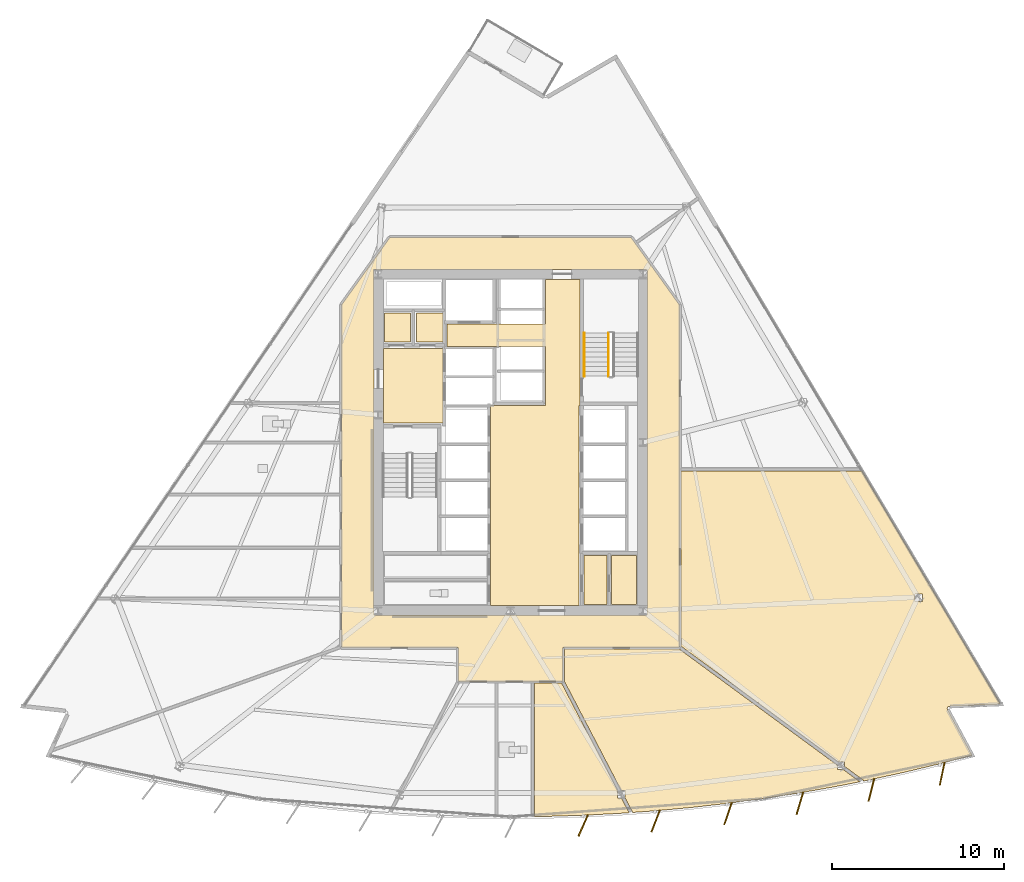
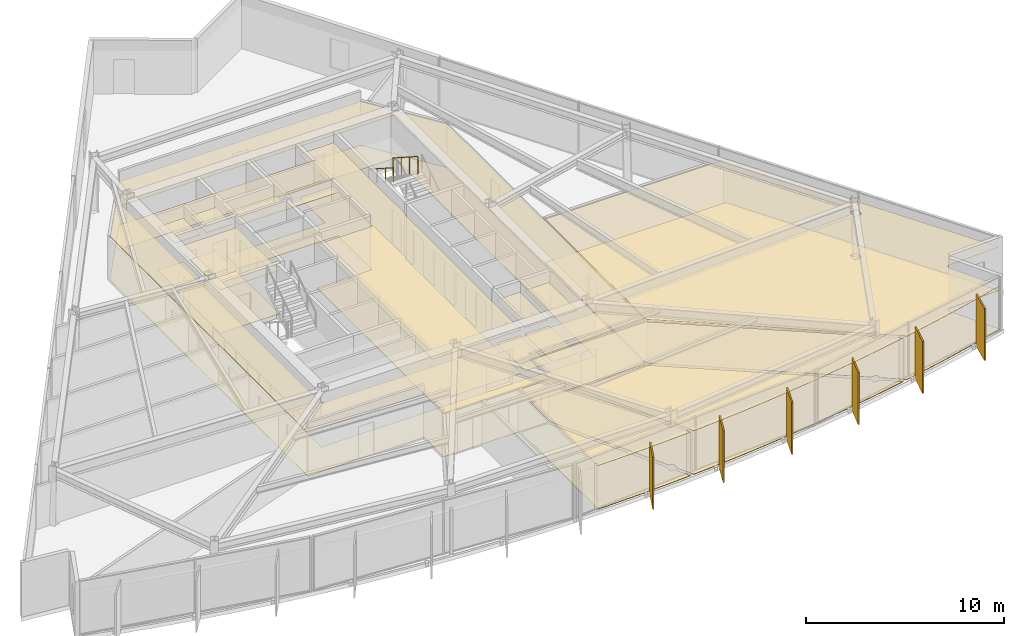
# One storey, part 12 of 15: 20 coverings, 6 shading devices, 2 railings.
"""IFC4 building model written with IfcOpenShell, lengths in metres."""

from ifc_helpers import new_model, si_unit, direction, frame, origin, origin_2d, place, context, subcontext, project, spatial, polyline, rectangle, circle, outline, extrude, material, layer, layer_set, type_object, element, save


model = new_model("IFC4")

# Units and contexts
model_context = context("Model", 3, precision=1e-05, world=origin(), true_north=direction((0.0, 1.0)))
body_context = subcontext(model_context, "Body", "Model", "MODEL_VIEW")
ifc_project = project(units=[si_unit("LENGTHUNIT", "METRE"), si_unit("AREAUNIT", "SQUARE_METRE"), si_unit("VOLUMEUNIT", "CUBIC_METRE"), si_unit("PLANEANGLEUNIT", "RADIAN"), si_unit("MASSUNIT", "GRAM", prefix="KILO")], contexts=[model_context])

# Site, building, storey
site_placement = place(None, origin())
site = spatial("IfcSite", under=ifc_project, at=site_placement, CompositionType="ELEMENT")
building_placement = place(site_placement, origin())
building = spatial("IfcBuilding", under=site, at=building_placement, Name="Savorim Split Tower", CompositionType="ELEMENT")
storey_placement = place(building_placement, frame((0.0, 0.0, 82.5)))
storey = spatial("IfcBuildingStorey", under=building, at=storey_placement, Name="L21", CompositionType="ELEMENT", Elevation=82.5)

# Coverings
ifc_material_1 = material(Name="Mineral Fibre Acoustic Ceiling")
ifc_layer_1 = layer(ifc_material_1, 0.02490234375)
ifc_layer_set_1 = layer_set([ifc_layer_1], Name="COV-CEIL-25")
covering_type_1 = type_object("IfcCoveringType", Name="COV-CEIL-25", PredefinedType="CEILING", material=ifc_layer_set_1)
covering_1_placement = place(storey_placement, frame((0.0, 0.0, 2.669921875)))
element("IfcCovering", 1, at=covering_1_placement, inside=storey, type_object=covering_type_1, Name="L21 Firefighting Lift Lobby Acoustic Ceiling", PredefinedType="CEILING", context=body_context, shape_type="SweptSolid", body=[
    extrude(outline(polyline([(-7.3798828125, 5.8701171875), (-7.3798828125, 1.530029296875), (-3.929931640625, 1.530029296875), (-3.929931640625, 5.8701171875), (-7.3798828125, 5.8701171875)])), origin(), (0.0, 0.0, 1.0), 0.025146484375),
])
covering_2_placement = place(storey_placement, frame((0.0, 0.0, 2.669921875)))
element("IfcCovering", 2, at=covering_2_placement, inside=storey, type_object=covering_type_1, Name="L21 Electrical Riser Acoustic Ceiling", PredefinedType="CEILING", context=body_context, shape_type="SweptSolid", body=[
    extrude(outline(polyline([(-7.320068359375, 7.919921875), (-7.320068359375, 6.22998046875), (-5.830078125, 6.22998046875), (-5.830078125, 7.919921875), (-7.320068359375, 7.919921875)])), origin(), (0.0, 0.0, 1.0), 0.025146484375),
])
covering_3_placement = place(storey_placement, frame((0.0, 0.0, 2.669921875)))
element("IfcCovering", 3, at=covering_3_placement, inside=storey, type_object=covering_type_1, Name="L21 Telecom Riser Acoustic Ceiling", PredefinedType="CEILING", context=body_context, shape_type="SweptSolid", body=[
    extrude(outline(polyline([(-5.469970703125, 7.919921875), (-5.469970703125, 6.22998046875), (-3.929931640625, 6.22998046875), (-3.929931640625, 7.919921875), (-5.469970703125, 7.919921875)])), origin(), (0.0, 0.0, 1.0), 0.025146484375),
])
covering_4_placement = place(storey_placement, frame((0.0, 0.0, 2.669921875)))
element("IfcCovering", 4, at=covering_4_placement, inside=storey, type_object=covering_type_1, Name="L21 Lift Lobby Acoustic Ceiling", PredefinedType="CEILING", context=body_context, shape_type="SweptSolid", body=[
    extrude(outline(polyline([(2.050048828125, 2.550048828125), (-1.14990234375, 2.550048828125), (-1.14990234375, -9.10009765625), (4.0, -9.10009765625), (4.0, 2.550048828125), (4.050048828125, 2.550048828125), (4.050048828125, 5.97998046875), (4.050048828125, 7.300048828125), (4.050048828125, 9.8798828125), (2.050048828125, 9.8798828125), (2.050048828125, 7.300048828125), (-3.699951171875, 7.300048828125), (-3.699951171875, 5.97998046875), (2.050048828125, 5.97998046875), (2.050048828125, 2.550048828125)])), origin(), (0.0, 0.0, 1.0), 0.025146484375),
])
covering_5_placement = place(storey_placement, frame((0.0, 0.0, 2.669921875)))
element("IfcCovering", 5, at=covering_5_placement, inside=storey, type_object=covering_type_1, Name="L21 Vending Pantry Acoustic Ceiling", PredefinedType="CEILING", context=body_context, shape_type="SweptSolid", body=[
    extrude(outline(polyline([(4.280029296875, -6.179931640625), (4.280029296875, -9.02001953125), (5.6201171875, -9.02001953125), (5.6201171875, -6.179931640625), (4.280029296875, -6.179931640625)])), origin(), (0.0, 0.0, 1.0), 0.025146484375),
])
covering_6_placement = place(storey_placement, frame((0.0, 0.0, 2.669921875)))
element("IfcCovering", 6, at=covering_6_placement, inside=storey, type_object=covering_type_1, Name="L21 Recycling Chute Room Acoustic Ceiling", PredefinedType="CEILING", context=body_context, shape_type="SweptSolid", body=[
    extrude(outline(polyline([(5.8798828125, -6.179931640625), (5.8798828125, -9.02001953125), (7.320068359375, -9.02001953125), (7.320068359375, -6.179931640625), (5.8798828125, -6.179931640625)])), origin(), (0.0, 0.0, 1.0), 0.025146484375),
])
covering_7_placement = place(storey_placement, frame((0.0, 0.0, 2.669921875)))
element("IfcCovering", 7, at=covering_7_placement, inside=storey, type_object=covering_type_1, Name="L21 Corridor Acoustic Ceiling", PredefinedType="CEILING", context=body_context, shape_type="SweptSolid", body=[
    extrude(outline(polyline([(7.009521484375, 12.3291015625), (7.004638671875, 12.329833984375), (7.0, 12.330078125), (-7.0, 12.330078125), (-7.004638671875, 12.329833984375), (-7.009521484375, 12.3291015625), (-7.013916015625, 12.327880859375), (-7.0185546875, 12.326416015625), (-7.022705078125, 12.324462890625), (-7.027099609375, 12.322021484375), (-7.03076171875, 12.3193359375), (-7.034423828125, 12.31640625), (-7.03759765625, 12.312744140625), (-7.04052734375, 12.30908203125), (-9.820556640625, 8.42919921875), (-9.823486328125, 8.4248046875), (-9.82568359375, 8.420166015625), (-9.82763671875, 8.415283203125), (-9.828857421875, 8.410400390625), (-9.82958984375, 8.4052734375), (-9.830078125, 8.39990234375), (-9.830078125, -11.47998046875), (-9.829833984375, -11.48486328125), (-9.8291015625, -11.48974609375), (-9.827880859375, -11.494384765625), (-9.826171875, -11.4990234375), (-9.82421875, -11.503662109375), (-9.821533203125, -11.5078125), (-9.818603515625, -11.51171875), (-9.8154296875, -11.515380859375), (-9.811767578125, -11.518798828125), (-9.807861328125, -11.521484375), (-9.8037109375, -11.524169921875), (-9.799072265625, -11.526123046875), (-9.79443359375, -11.52783203125), (-9.789794921875, -11.529052734375), (-9.784912109375, -11.52978515625), (-9.780029296875, -11.530029296875), (-3.050048828125, -11.530029296875), (-3.050048828125, -13.449951171875), (-3.0498046875, -13.454833984375), (-3.049072265625, -13.459716796875), (-3.0478515625, -13.464599609375), (-3.046142578125, -13.468994140625), (-3.044189453125, -13.4736328125), (-3.04150390625, -13.477783203125), (-3.038818359375, -13.481689453125), (-3.035400390625, -13.4853515625), (-3.03173828125, -13.48876953125), (-3.02783203125, -13.49169921875), (-3.023681640625, -13.494140625), (-3.01904296875, -13.49609375), (-3.014404296875, -13.497802734375), (-3.009765625, -13.4990234375), (-3.0048828125, -13.499755859375), (-3.0, -13.5), (3.0, -13.5), (3.0048828125, -13.499755859375), (3.009765625, -13.4990234375), (3.014404296875, -13.497802734375), (3.01904296875, -13.49609375), (3.023681640625, -13.494140625), (3.02783203125, -13.49169921875), (3.03173828125, -13.48876953125), (3.035400390625, -13.4853515625), (3.038818359375, -13.481689453125), (3.04150390625, -13.477783203125), (3.044189453125, -13.4736328125), (3.046142578125, -13.468994140625), (3.0478515625, -13.464599609375), (3.049072265625, -13.459716796875), (3.0498046875, -13.454833984375), (3.050048828125, -13.449951171875), (3.050048828125, -11.530029296875), (9.780029296875, -11.530029296875), (9.784912109375, -11.52978515625), (9.789794921875, -11.529052734375), (9.79443359375, -11.52783203125), (9.799072265625, -11.526123046875), (9.8037109375, -11.524169921875), (9.807861328125, -11.521484375), (9.811767578125, -11.518798828125), (9.8154296875, -11.515380859375), (9.818603515625, -11.51171875), (9.821533203125, -11.5078125), (9.82421875, -11.503662109375), (9.826171875, -11.4990234375), (9.827880859375, -11.494384765625), (9.8291015625, -11.48974609375), (9.829833984375, -11.48486328125), (9.830078125, -11.47998046875), (9.830078125, 8.39990234375), (9.82958984375, 8.4052734375), (9.828857421875, 8.410400390625), (9.82763671875, 8.415283203125), (9.82568359375, 8.420166015625), (9.823486328125, 8.4248046875), (9.820556640625, 8.42919921875), (7.04052734375, 12.30908203125), (7.03759765625, 12.312744140625), (7.034423828125, 12.31640625), (7.03076171875, 12.3193359375), (7.027099609375, 12.322021484375), (7.022705078125, 12.324462890625), (7.0185546875, 12.326416015625), (7.013916015625, 12.327880859375), (7.009521484375, 12.3291015625)]), holes=[polyline([(-7.949951171875, 10.449951171875), (-7.949951171875, -9.64990234375), (7.949951171875, -9.64990234375), (7.949951171875, 10.449951171875), (-7.949951171875, 10.449951171875)])]), origin(), (0.0, 0.0, 1.0), 0.025146484375),
])
covering_8_placement = place(storey_placement, frame((0.0, 0.0, 2.669921875)))
element("IfcCovering", 8, at=covering_8_placement, inside=storey, type_object=covering_type_1, Name="L21 Co-Living Bedroom Acoustic Ceiling", PredefinedType="CEILING", context=body_context, shape_type="SweptSolid", body=[
    extrude(outline(polyline([(1.394775390625, -21.366455078125), (2.101806640625, -21.359375), (4.202880859375, -21.294921875), (6.302001953125, -21.187255859375), (6.902587890625, -21.144287109375), (6.45458984375, -20.2841796875), (6.231201171875, -20.2841796875), (6.231201171875, -19.85546875), (2.981689453125, -13.6171875), (2.967529296875, -13.590087890625), (1.394775390625, -13.590087890625), (1.394775390625, -21.366455078125)])), origin(), (0.0, 0.0, 1.0), 0.025146484375),
])
covering_9_placement = place(storey_placement, frame((0.0, 0.0, 2.669921875)))
element("IfcCovering", 9, at=covering_9_placement, inside=storey, type_object=covering_type_1, Name="L21 Co-Working Commons Acoustic Ceiling", PredefinedType="CEILING", context=body_context, shape_type="SweptSolid", body=[
    extrude(outline(polyline([(12.58056640625, -20.607421875), (14.6640625, -20.32861328125), (16.7412109375, -20.00732421875), (18.8115234375, -19.6435546875), (20.330078125, -19.344482421875), (19.374755859375, -18.642578125), (19.017822265625, -18.642578125), (19.017822265625, -18.380126953125), (9.83984375, -11.634033203125), (9.814453125, -11.615478515625), (9.807373046875, -11.6171875), (9.793701171875, -11.619384765625), (9.780029296875, -11.6201171875), (3.139892578125, -11.6201171875), (3.139892578125, -13.449951171875), (3.139404296875, -13.463623046875), (3.13720703125, -13.477294921875), (3.134033203125, -13.490478515625), (3.13232421875, -13.4951171875), (6.43701171875, -19.839111328125), (6.660400390625, -19.839111328125), (6.660400390625, -20.267822265625), (7.06494140625, -21.044677734375), (7.10888671875, -21.12890625), (7.107666015625, -21.12939453125), (8.398681640625, -21.036865234375), (10.49169921875, -20.843505859375), (12.58056640625, -20.607421875)])), origin(), (0.0, 0.0, 1.0), 0.025146484375),
])
covering_10_placement = place(storey_placement, frame((0.0, 0.0, 2.669921875)))
element("IfcCovering", 10, at=covering_10_placement, inside=storey, type_object=covering_type_1, Name="L21 Maker Workshop Acoustic Ceiling", PredefinedType="CEILING", context=body_context, shape_type="SweptSolid", body=[
    extrude(outline(polyline([(25.5009765625, -14.956298828125), (25.51220703125, -14.9541015625), (25.523681640625, -14.952880859375), (28.506591796875, -14.826171875), (20.438720703125, -1.258056640625), (9.919921875, -1.258056640625), (9.919921875, -11.457275390625), (19.090087890625, -18.197509765625), (19.447021484375, -18.197509765625), (19.447021484375, -18.459716796875), (20.4580078125, -19.202880859375), (20.53466796875, -19.25927734375), (20.495849609375, -19.31201171875), (20.873779296875, -19.237548828125), (22.927490234375, -18.789306640625), (24.9716796875, -18.29931640625), (26.85888671875, -17.8056640625), (25.423095703125, -15.129638671875), (25.418212890625, -15.119140625), (25.414306640625, -15.1083984375), (25.411376953125, -15.09716796875), (25.409423828125, -15.085693359375), (25.40869140625, -15.07421875), (25.4091796875, -15.062744140625), (25.410888671875, -15.05126953125), (25.413330078125, -15.0400390625), (25.4169921875, -15.029052734375), (25.421875, -15.0185546875), (25.427490234375, -15.008544921875), (25.43408203125, -14.9990234375), (25.441650390625, -14.990478515625), (25.449951171875, -14.982421875), (25.458984375, -14.97509765625), (25.46875, -14.968994140625), (25.47900390625, -14.963623046875), (25.48974609375, -14.95947265625), (25.5009765625, -14.956298828125)]), holes=[polyline([(23.97021484375, -8.860595703125), (23.97021484375, -8.415771484375), (23.541259765625, -8.415771484375), (23.541259765625, -8.860595703125), (23.97021484375, -8.860595703125)])]), origin(), (0.0, 0.0, 1.0), 0.025146484375),
])
ifc_material_2 = material(Name="Porcelain Stoneware Flooring", Category="masonry")
ifc_layer_2 = layer(ifc_material_2, 0.02001953125)
ifc_layer_set_2 = layer_set([ifc_layer_2], Name="COV-FLOR-20")
covering_type_2 = type_object("IfcCoveringType", Name="COV-FLOR-20", PredefinedType="FLOORING", material=ifc_layer_set_2)
covering_11_placement = place(storey_placement, origin())
element("IfcCovering", 11, at=covering_11_placement, inside=storey, type_object=covering_type_2, Name="L21 Firefighting Lift Lobby Porcelain Flooring", PredefinedType="FLOORING", context=body_context, shape_type="SweptSolid", body=[
    extrude(outline(polyline([(-7.3798828125, 5.8701171875), (-7.3798828125, 1.530029296875), (-3.929931640625, 1.530029296875), (-3.929931640625, 5.8701171875), (-7.3798828125, 5.8701171875)])), origin(), (0.0, 0.0, 1.0), 0.02001953125),
])
covering_12_placement = place(storey_placement, origin())
element("IfcCovering", 12, at=covering_12_placement, inside=storey, type_object=covering_type_2, Name="L21 Electrical Riser Porcelain Flooring", PredefinedType="FLOORING", context=body_context, shape_type="SweptSolid", body=[
    extrude(outline(polyline([(-7.320068359375, 7.919921875), (-7.320068359375, 6.22998046875), (-5.830078125, 6.22998046875), (-5.830078125, 7.919921875), (-7.320068359375, 7.919921875)])), origin(), (0.0, 0.0, 1.0), 0.02001953125),
])
covering_13_placement = place(storey_placement, origin())
element("IfcCovering", 13, at=covering_13_placement, inside=storey, type_object=covering_type_2, Name="L21 Telecom Riser Porcelain Flooring", PredefinedType="FLOORING", context=body_context, shape_type="SweptSolid", body=[
    extrude(outline(polyline([(-5.469970703125, 7.919921875), (-5.469970703125, 6.22998046875), (-3.929931640625, 6.22998046875), (-3.929931640625, 7.919921875), (-5.469970703125, 7.919921875)])), origin(), (0.0, 0.0, 1.0), 0.02001953125),
])
covering_14_placement = place(storey_placement, origin())
element("IfcCovering", 14, at=covering_14_placement, inside=storey, type_object=covering_type_2, Name="L21 Lift Lobby Porcelain Flooring", PredefinedType="FLOORING", context=body_context, shape_type="SweptSolid", body=[
    extrude(outline(polyline([(2.050048828125, 2.550048828125), (-1.14990234375, 2.550048828125), (-1.14990234375, -9.10009765625), (4.0, -9.10009765625), (4.0, 2.550048828125), (4.050048828125, 2.550048828125), (4.050048828125, 5.97998046875), (4.050048828125, 7.300048828125), (4.050048828125, 9.8798828125), (2.050048828125, 9.8798828125), (2.050048828125, 7.300048828125), (-3.699951171875, 7.300048828125), (-3.699951171875, 5.97998046875), (2.050048828125, 5.97998046875), (2.050048828125, 2.550048828125)])), origin(), (0.0, 0.0, 1.0), 0.02001953125),
])
covering_15_placement = place(storey_placement, origin())
element("IfcCovering", 15, at=covering_15_placement, inside=storey, type_object=covering_type_2, Name="L21 Vending Pantry Porcelain Flooring", PredefinedType="FLOORING", context=body_context, shape_type="SweptSolid", body=[
    extrude(outline(polyline([(4.280029296875, -6.179931640625), (4.280029296875, -9.02001953125), (5.6201171875, -9.02001953125), (5.6201171875, -6.179931640625), (4.280029296875, -6.179931640625)])), origin(), (0.0, 0.0, 1.0), 0.02001953125),
])
covering_16_placement = place(storey_placement, origin())
element("IfcCovering", 16, at=covering_16_placement, inside=storey, type_object=covering_type_2, Name="L21 Recycling Chute Room Porcelain Flooring", PredefinedType="FLOORING", context=body_context, shape_type="SweptSolid", body=[
    extrude(outline(polyline([(5.8798828125, -6.179931640625), (5.8798828125, -9.02001953125), (7.320068359375, -9.02001953125), (7.320068359375, -6.179931640625), (5.8798828125, -6.179931640625)])), origin(), (0.0, 0.0, 1.0), 0.02001953125),
])
covering_17_placement = place(storey_placement, origin())
element("IfcCovering", 17, at=covering_17_placement, inside=storey, type_object=covering_type_2, Name="L21 Corridor Porcelain Flooring", PredefinedType="FLOORING", context=body_context, shape_type="SweptSolid", body=[
    extrude(outline(polyline([(7.009521484375, 12.3291015625), (7.004638671875, 12.329833984375), (7.0, 12.330078125), (-7.0, 12.330078125), (-7.004638671875, 12.329833984375), (-7.009521484375, 12.3291015625), (-7.013916015625, 12.327880859375), (-7.0185546875, 12.326416015625), (-7.022705078125, 12.324462890625), (-7.027099609375, 12.322021484375), (-7.03076171875, 12.3193359375), (-7.034423828125, 12.31640625), (-7.03759765625, 12.312744140625), (-7.04052734375, 12.30908203125), (-9.820556640625, 8.42919921875), (-9.823486328125, 8.4248046875), (-9.82568359375, 8.420166015625), (-9.82763671875, 8.415283203125), (-9.828857421875, 8.410400390625), (-9.82958984375, 8.4052734375), (-9.830078125, 8.39990234375), (-9.830078125, -11.47998046875), (-9.829833984375, -11.48486328125), (-9.8291015625, -11.48974609375), (-9.827880859375, -11.494384765625), (-9.826171875, -11.4990234375), (-9.82421875, -11.503662109375), (-9.821533203125, -11.5078125), (-9.818603515625, -11.51171875), (-9.8154296875, -11.515380859375), (-9.811767578125, -11.518798828125), (-9.807861328125, -11.521484375), (-9.8037109375, -11.524169921875), (-9.799072265625, -11.526123046875), (-9.79443359375, -11.52783203125), (-9.789794921875, -11.529052734375), (-9.784912109375, -11.52978515625), (-9.780029296875, -11.530029296875), (-3.050048828125, -11.530029296875), (-3.050048828125, -13.449951171875), (-3.0498046875, -13.454833984375), (-3.049072265625, -13.459716796875), (-3.0478515625, -13.464599609375), (-3.046142578125, -13.468994140625), (-3.044189453125, -13.4736328125), (-3.04150390625, -13.477783203125), (-3.038818359375, -13.481689453125), (-3.035400390625, -13.4853515625), (-3.03173828125, -13.48876953125), (-3.02783203125, -13.49169921875), (-3.023681640625, -13.494140625), (-3.01904296875, -13.49609375), (-3.014404296875, -13.497802734375), (-3.009765625, -13.4990234375), (-3.0048828125, -13.499755859375), (-3.0, -13.5), (3.0, -13.5), (3.0048828125, -13.499755859375), (3.009765625, -13.4990234375), (3.014404296875, -13.497802734375), (3.01904296875, -13.49609375), (3.023681640625, -13.494140625), (3.02783203125, -13.49169921875), (3.03173828125, -13.48876953125), (3.035400390625, -13.4853515625), (3.038818359375, -13.481689453125), (3.04150390625, -13.477783203125), (3.044189453125, -13.4736328125), (3.046142578125, -13.468994140625), (3.0478515625, -13.464599609375), (3.049072265625, -13.459716796875), (3.0498046875, -13.454833984375), (3.050048828125, -13.449951171875), (3.050048828125, -11.530029296875), (9.780029296875, -11.530029296875), (9.784912109375, -11.52978515625), (9.789794921875, -11.529052734375), (9.79443359375, -11.52783203125), (9.799072265625, -11.526123046875), (9.8037109375, -11.524169921875), (9.807861328125, -11.521484375), (9.811767578125, -11.518798828125), (9.8154296875, -11.515380859375), (9.818603515625, -11.51171875), (9.821533203125, -11.5078125), (9.82421875, -11.503662109375), (9.826171875, -11.4990234375), (9.827880859375, -11.494384765625), (9.8291015625, -11.48974609375), (9.829833984375, -11.48486328125), (9.830078125, -11.47998046875), (9.830078125, 8.39990234375), (9.82958984375, 8.4052734375), (9.828857421875, 8.410400390625), (9.82763671875, 8.415283203125), (9.82568359375, 8.420166015625), (9.823486328125, 8.4248046875), (9.820556640625, 8.42919921875), (7.04052734375, 12.30908203125), (7.03759765625, 12.312744140625), (7.034423828125, 12.31640625), (7.03076171875, 12.3193359375), (7.027099609375, 12.322021484375), (7.022705078125, 12.324462890625), (7.0185546875, 12.326416015625), (7.013916015625, 12.327880859375), (7.009521484375, 12.3291015625)]), holes=[polyline([(-7.949951171875, 10.449951171875), (-7.949951171875, -9.64990234375), (7.949951171875, -9.64990234375), (7.949951171875, 10.449951171875), (-7.949951171875, 10.449951171875)])]), origin(), (0.0, 0.0, 1.0), 0.02001953125),
])
covering_18_placement = place(storey_placement, origin())
element("IfcCovering", 18, at=covering_18_placement, inside=storey, type_object=covering_type_2, Name="L21 Co-Living Bedroom Porcelain Flooring", PredefinedType="FLOORING", context=body_context, shape_type="SweptSolid", body=[
    extrude(outline(polyline([(1.394775390625, -21.366455078125), (2.101806640625, -21.359375), (4.202880859375, -21.294921875), (6.302001953125, -21.187255859375), (6.902587890625, -21.144287109375), (6.45458984375, -20.2841796875), (6.231201171875, -20.2841796875), (6.231201171875, -19.85546875), (2.981689453125, -13.6171875), (2.967529296875, -13.590087890625), (1.394775390625, -13.590087890625), (1.394775390625, -21.366455078125)])), origin(), (0.0, 0.0, 1.0), 0.02001953125),
])
covering_19_placement = place(storey_placement, origin())
element("IfcCovering", 19, at=covering_19_placement, inside=storey, type_object=covering_type_2, Name="L21 Co-Working Commons Porcelain Flooring", PredefinedType="FLOORING", context=body_context, shape_type="SweptSolid", body=[
    extrude(outline(polyline([(12.58056640625, -20.607421875), (14.6640625, -20.32861328125), (16.7412109375, -20.00732421875), (18.8115234375, -19.6435546875), (20.330078125, -19.344482421875), (19.374755859375, -18.642578125), (19.017822265625, -18.642578125), (19.017822265625, -18.380126953125), (9.83984375, -11.634033203125), (9.814453125, -11.615478515625), (9.807373046875, -11.6171875), (9.793701171875, -11.619384765625), (9.780029296875, -11.6201171875), (3.139892578125, -11.6201171875), (3.139892578125, -13.449951171875), (3.139404296875, -13.463623046875), (3.13720703125, -13.477294921875), (3.134033203125, -13.490478515625), (3.13232421875, -13.4951171875), (6.43701171875, -19.839111328125), (6.660400390625, -19.839111328125), (6.660400390625, -20.267822265625), (7.06494140625, -21.044677734375), (7.10888671875, -21.12890625), (7.107666015625, -21.12939453125), (8.398681640625, -21.036865234375), (10.49169921875, -20.843505859375), (12.58056640625, -20.607421875)])), origin(), (0.0, 0.0, 1.0), 0.02001953125),
])
covering_20_placement = place(storey_placement, origin())
element("IfcCovering", 20, at=covering_20_placement, inside=storey, type_object=covering_type_2, Name="L21 Maker Workshop Porcelain Flooring", PredefinedType="FLOORING", context=body_context, shape_type="SweptSolid", body=[
    extrude(outline(polyline([(25.5009765625, -14.956298828125), (25.51220703125, -14.9541015625), (25.523681640625, -14.952880859375), (28.506591796875, -14.826171875), (20.438720703125, -1.258056640625), (9.919921875, -1.258056640625), (9.919921875, -11.457275390625), (19.090087890625, -18.197509765625), (19.447021484375, -18.197509765625), (19.447021484375, -18.459716796875), (20.4580078125, -19.202880859375), (20.53466796875, -19.25927734375), (20.495849609375, -19.31201171875), (20.873779296875, -19.237548828125), (22.927490234375, -18.789306640625), (24.9716796875, -18.29931640625), (26.85888671875, -17.8056640625), (25.423095703125, -15.129638671875), (25.418212890625, -15.119140625), (25.414306640625, -15.1083984375), (25.411376953125, -15.09716796875), (25.409423828125, -15.085693359375), (25.40869140625, -15.07421875), (25.4091796875, -15.062744140625), (25.410888671875, -15.05126953125), (25.413330078125, -15.0400390625), (25.4169921875, -15.029052734375), (25.421875, -15.0185546875), (25.427490234375, -15.008544921875), (25.43408203125, -14.9990234375), (25.441650390625, -14.990478515625), (25.449951171875, -14.982421875), (25.458984375, -14.97509765625), (25.46875, -14.968994140625), (25.47900390625, -14.963623046875), (25.48974609375, -14.95947265625), (25.5009765625, -14.956298828125)]), holes=[polyline([(23.97021484375, -8.860595703125), (23.97021484375, -8.415771484375), (23.541259765625, -8.415771484375), (23.541259765625, -8.860595703125), (23.97021484375, -8.860595703125)])]), origin(), (0.0, 0.0, 1.0), 0.02001953125),
])

# Railings
ifc_material_3 = material(Name="Galvanised Painted Steel Balustrade", Category="steel")
railing_type_1 = type_object("IfcRailingType", Name="RLG-HR-900", PredefinedType="HANDRAIL", material=ifc_material_3)
railing_1_placement = place(storey_placement, frame((4.300048828125, 6.77001953125, 1.97998046875)))
element("IfcRailing", 21, at=railing_1_placement, inside=storey, type_object=railing_type_1, Name="L21 ST-2 stair handrail 2", PredefinedType="HANDRAIL", context=body_context, shape_type="SweptSolid", body=[
    extrude(circle(Radius=0.02392578125, at=origin_2d()), frame((0.0, 0.0, 0.8759765625), z_axis=(0.0, -0.841162588446, 0.540782303519), x_axis=(1.0, 0.0, 0.0)), (0.0, 0.0, 1.0), 2.995849609375),
    extrude(circle(Radius=0.02099609375, at=origin_2d()), origin(), (0.0, 0.0, 1.0), 0.851806640625),
    extrude(circle(Radius=0.02099609375, at=origin_2d()), frame((0.0, -0.840087890625, 0.5400390625)), (0.0, 0.0, 1.0), 0.851806640625),
    extrude(circle(Radius=0.02099609375, at=origin_2d()), frame((0.0, -1.679931640625, 1.080078125)), (0.0, 0.0, 1.0), 0.851806640625),
    extrude(circle(Radius=0.02099609375, at=origin_2d()), frame((0.0, -2.52001953125, 1.6201171875)), (0.0, 0.0, 1.0), 0.851806640625),
])
railing_type_2 = type_object("IfcRailingType", Name="RLG-STG-1100", PredefinedType="BALUSTRADE", material=ifc_material_3)
railing_2_placement = place(storey_placement, frame((5.699951171875, 6.77001953125, 1.97998046875)))
element("IfcRailing", 22, at=railing_2_placement, inside=storey, type_object=railing_type_2, Name="L21 ST-2 stair guard 3", PredefinedType="BALUSTRADE", context=body_context, shape_type="SweptSolid", body=[
    extrude(circle(Radius=0.02392578125, at=origin_2d()), frame((0.0, 0.0, 1.076171875), z_axis=(0.0, -0.841162588446, 0.540782303519), x_axis=(1.0, 0.0, 0.0)), (0.0, 0.0, 1.0), 2.995849609375),
    extrude(circle(Radius=0.02099609375, at=origin_2d()), origin(), (0.0, 0.0, 1.0), 1.052001953125),
    extrude(circle(Radius=0.02099609375, at=origin_2d()), frame((0.0, -0.840087890625, 0.5400390625)), (0.0, 0.0, 1.0), 1.052001953125),
    extrude(circle(Radius=0.02099609375, at=origin_2d()), frame((0.0, -1.679931640625, 1.080078125)), (0.0, 0.0, 1.0), 1.052001953125),
    extrude(circle(Radius=0.02099609375, at=origin_2d()), frame((0.0, -2.52001953125, 1.6201171875)), (0.0, 0.0, 1.0), 1.052001953125),
])

# Shading devices
ifc_material_4 = material(Name="Terracotta Ceramic-Coated Aluminium Fin", Category="masonry")
shading_device_type = type_object("IfcShadingDeviceType", Name="SHD-FIN-1360", PredefinedType="USERDEFINED", material=ifc_material_4)
for number, where, z_axis, x_axis, name in (
    (23, (4.227294921875, -21.890380859375, -0.2001953125), (0.0, 0.0, 1.0), (-0.401230091723, -0.915977299662, 0.0), "L21 Sawtooth Shading Fin 08"),
    (24, (8.447509765625, -21.630859375, -0.2001953125), (0.0, 0.0, 1.0), (-0.363415461732, -0.931627179817, 0.0), "L21 Sawtooth Shading Fin 09"),
    (25, (12.653564453125, -21.198974609375, -0.2001953125), (0.0, 0.0, 1.0), (-0.324993810493, -0.945716143005, 0.0), "L21 Sawtooth Shading Fin 10"),
    (26, (16.83837890625, -20.595458984375, -0.2001953125), (0.0, 0.0, 1.0), (-0.286026212504, -0.958221793616, 0.0), "L21 Sawtooth Shading Fin 11"),
    (27, (20.9951171875, -19.821044921875, -0.2001953125), (0.0, 0.0, 1.0), (-0.246581250663, -0.969122121727, 0.0), "L21 Sawtooth Shading Fin 12"),
    (28, (25.116455078125, -18.87744140625, -0.2001953125), (0.0, 0.0, 1.0), (-0.206721626106, -0.978399800337, 0.0), "L21 Sawtooth Shading Fin 13"),
):
    element("IfcShadingDevice", number, at=place(storey_placement, frame(where, z_axis=z_axis, x_axis=x_axis)), inside=storey, type_object=shading_device_type, Name=name, ObjectType="FIN", PredefinedType="USERDEFINED", context=body_context, shape_type="SweptSolid", body=[
        extrude(rectangle(XDim=1.360107421875, YDim=0.080078125, at=origin_2d()), origin(), (0.0, 0.0, 1.0), 3.199951171875),
    ])

save(model, "model.ifc")
